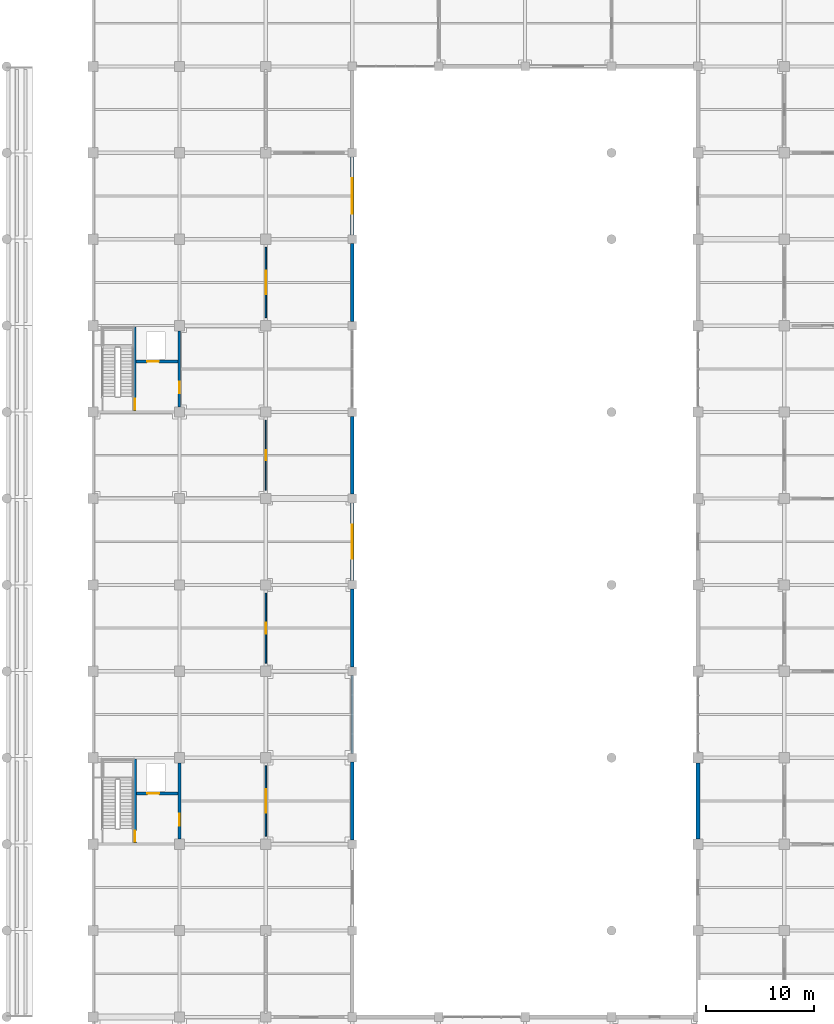
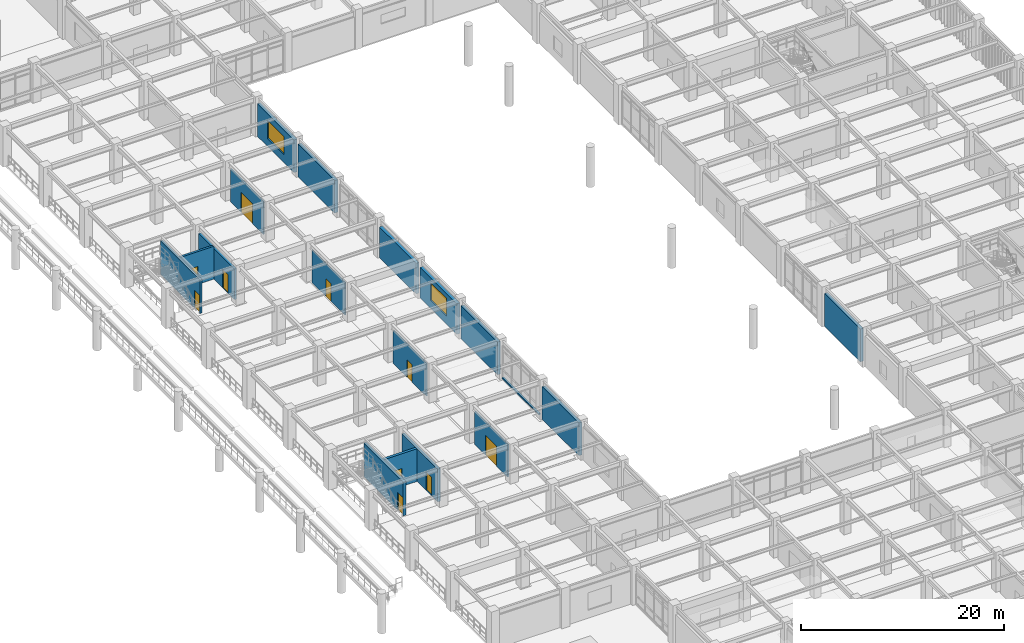
# One storey, part 76 of 109: 18 walls, 10 doors, 2 windows, 12 openings.
"""IFC4 building model written with IfcOpenShell, lengths in metres."""

from ifc_helpers import new_model, si_unit, direction, frame, frame_2d, origin, place, context, subcontext, project, spatial, rectangle, extrude, material, layer, layer_set, type_object, element, fill, save


model = new_model("IFC4")

# Units and contexts
model_context = context("Model", 3, precision=1e-05, world=origin(), true_north=direction((0.0, 1.0)))
body_context = subcontext(model_context, "Body", "Model", "MODEL_VIEW")
ifc_project = project(units=[si_unit("LENGTHUNIT", "METRE"), si_unit("AREAUNIT", "SQUARE_METRE"), si_unit("VOLUMEUNIT", "CUBIC_METRE"), si_unit("PLANEANGLEUNIT", "RADIAN"), si_unit("MASSUNIT", "GRAM", prefix="KILO")], contexts=[model_context])

# Site, building, storey
site_placement = place(None, origin())
site = spatial("IfcSite", under=ifc_project, at=site_placement, CompositionType="ELEMENT")
building_placement = place(site_placement, origin())
building = spatial("IfcBuilding", under=site, at=building_placement, Name="Haebicheon Civic Stadium", CompositionType="ELEMENT")
storey_placement = place(building_placement, frame((0.0, 0.0, 9.60009765625)))
storey = spatial("IfcBuildingStorey", under=building, at=storey_placement, Name="L03", CompositionType="ELEMENT", Elevation=9.60009765625)

# Wall, opening, door
ifc_material_1 = material(Name="Concrete C40/50", Category="concrete")
ifc_layer_1 = layer(ifc_material_1, 0.239990234375, Name="Concrete C40/50")
ifc_layer_set_1 = layer_set([ifc_layer_1], Name="Concrete C40/50")
wall_type_1 = type_object("IfcWallType", Name="CW-SHR-240", PredefinedType="SHEAR", material=ifc_layer_set_1)
wall_1_placement = place(storey_placement, frame((152.0, 104.47509765625, 0.0), z_axis=(0.0, 0.0, 1.0), x_axis=(0.0, 1.0, 0.0)))
wall_1 = element("IfcWall", 1, at=wall_1_placement, inside=storey, type_object=wall_type_1, material=ifc_layer_set_1, Name="KC-11 L03 east core shear wall", PredefinedType="SHEAR", context=body_context, shape_type="SweptSolid", body=[
    extrude(rectangle(XDim=7.0498046875, YDim=0.239990234375, at=frame_2d((3.52490234375, 0.0))), origin(), (0.0, 0.0, 1.0), 3.679931640625),
])
opening_1_placement = place(wall_1_placement, frame((1.25, 0.0, 0.0)))
opening_1 = element("IfcOpeningElement", 2, at=opening_1_placement, cuts=wall_1, Name="Opening D-L03-KC-11-LOB", PredefinedType="OPENING", context=body_context, shape_type="SweptSolid", body=[
    extrude(rectangle(XDim=1.10009765625, YDim=2.199951171875, at=frame_2d((0.550048828125, 1.10009765625))), frame((0.0, 0.1298828125, 0.0), z_axis=(0.0, -1.0, 0.0), x_axis=(1.0, 0.0, 0.0)), (0.0, 0.0, 1.0), 0.260009765625),
])
ifc_material_2 = material(Name="Galvanised painted steel SM355", Category="steel")
door_type_1 = type_object("IfcDoorType", Name="ID-FD-1100", OperationType="NOTDEFINED", PredefinedType="DOOR", material=ifc_material_2)
door_1_placement = place(opening_1_placement, origin())
door_1 = element("IfcDoor", 3, at=door_1_placement, inside=storey, type_object=door_type_1, material=ifc_material_2, Name="L03 KC-11 lobby fire door", OperationType="SINGLE_SWING_RIGHT", OverallHeight=2.199951171875, OverallWidth=1.10009765625, PredefinedType="DOOR", context=body_context, shape_type="SweptSolid", body=[
    extrude(rectangle(XDim=1.10009765625, YDim=2.199951171875, at=frame_2d((0.550048828125, 1.10009765625))), frame((0.0, 0.02490234375, 0.0), z_axis=(0.0, -1.0, 0.0), x_axis=(1.0, 0.0, 0.0)), (0.0, 0.0, 1.0), 0.050048828125),
])
fill(opening_1, door_1)

wall_2_placement = place(storey_placement, frame((147.8798828125, 104.1201171875, 0.0), z_axis=(0.0, 0.0, 1.0), x_axis=(0.0, 1.0, 0.0)))
wall_2 = element("IfcWall", 4, at=wall_2_placement, inside=storey, type_object=wall_type_1, material=ifc_layer_set_1, Name="KC-11 L03 stair-lobby dividing shear wall", PredefinedType="SHEAR", context=body_context, shape_type="SweptSolid", body=[
    extrude(rectangle(XDim=7.759765625, YDim=0.239990234375, at=frame_2d((3.8798828125, 0.0))), origin(), (0.0, 0.0, 1.0), 4.02978515625),
])
opening_2_placement = place(wall_2_placement, frame((0.080078125, 0.0, 0.0)))
opening_2 = element("IfcOpeningElement", 5, at=opening_2_placement, cuts=wall_2, Name="Opening D-L03-KC-11-STR", PredefinedType="OPENING", context=body_context, shape_type="SweptSolid", body=[
    extrude(rectangle(XDim=1.050048828125, YDim=2.14990234375, at=frame_2d((0.52490234375, 1.074951171875))), frame((0.0, 0.1298828125, 0.0), z_axis=(0.0, -1.0, 0.0), x_axis=(1.0, 0.0, 0.0)), (0.0, 0.0, 1.0), 0.260009765625),
])
ifc_material_3 = material(Name="Galvanised painted steel SM355", Category="steel")
door_type_2 = type_object("IfcDoorType", Name="ID-FD-1050", OperationType="NOTDEFINED", PredefinedType="DOOR", material=ifc_material_3)
door_2_placement = place(opening_2_placement, origin())
door_2 = element("IfcDoor", 6, at=door_2_placement, inside=storey, type_object=door_type_2, material=ifc_material_3, Name="L03 ST-11 stairwell escape door", OperationType="SINGLE_SWING_LEFT", OverallHeight=2.14990234375, OverallWidth=1.050048828125, PredefinedType="DOOR", context=body_context, shape_type="SweptSolid", body=[
    extrude(rectangle(XDim=1.050048828125, YDim=2.14990234375, at=frame_2d((0.52490234375, 1.074951171875))), frame((0.0, 0.02490234375, 0.0), z_axis=(0.0, -1.0, 0.0), x_axis=(1.0, 0.0, 0.0)), (0.0, 0.0, 1.0), 0.050048828125),
])
fill(opening_2, door_2)

wall_3_placement = place(storey_placement, frame((148.0, 108.679931640625, 0.0), z_axis=(0.0, 0.0, 1.0), x_axis=(1.0, 0.0, 0.0)))
wall_3 = element("IfcWall", 7, at=wall_3_placement, inside=storey, type_object=wall_type_1, material=ifc_layer_set_1, Name="KC-11 L03 lift shaft front wall", PredefinedType="SHEAR", context=body_context, shape_type="SweptSolid", body=[
    extrude(rectangle(XDim=3.8798828125, YDim=0.239990234375, at=frame_2d((1.93994140625, 0.0))), origin(), (0.0, 0.0, 1.0), 3.929931640625),
])
opening_3_placement = place(wall_3_placement, frame((1.0, 0.0, 0.0)))
opening_3 = element("IfcOpeningElement", 8, at=opening_3_placement, cuts=wall_3, Name="Opening LD-08-L03", PredefinedType="OPENING", context=body_context, shape_type="SweptSolid", body=[
    extrude(rectangle(XDim=1.10009765625, YDim=2.14990234375, at=frame_2d((0.550048828125, 1.074951171875))), frame((0.0, 0.1298828125, 0.0), z_axis=(0.0, -1.0, 0.0), x_axis=(1.0, 0.0, 0.0)), (0.0, 0.0, 1.0), 0.260009765625),
])
ifc_material_4 = material(Name="Stainless steel 316", Category="steel")
door_type_3 = type_object("IfcDoorType", Name="ID-LD-1100", OperationType="NOTDEFINED", PredefinedType="DOOR", material=ifc_material_4)
door_3_placement = place(opening_3_placement, origin())
door_3 = element("IfcDoor", 9, at=door_3_placement, inside=storey, type_object=door_type_3, material=ifc_material_4, Name="LF-08 lift landing sliding door L03", OperationType="SLIDING_TO_LEFT", OverallHeight=2.14990234375, OverallWidth=1.10009765625, PredefinedType="DOOR", context=body_context, shape_type="SweptSolid", body=[
    extrude(rectangle(XDim=1.10009765625, YDim=2.14990234375, at=frame_2d((0.550048828125, 1.074951171875))), frame((0.0, 0.02490234375, 0.0), z_axis=(0.0, -1.0, 0.0), x_axis=(1.0, 0.0, 0.0)), (0.0, 0.0, 1.0), 0.050048828125),
])
fill(opening_3, door_3)

ifc_material_5 = material(Name="Concrete C40/50", Category="concrete")
ifc_layer_2 = layer(ifc_material_5, 0.300048828125, Name="Concrete C40/50")
ifc_layer_set_2 = layer_set([ifc_layer_2], Name="Concrete C40/50")
wall_type_2 = type_object("IfcWallType", Name="CW-SHR-300", PredefinedType="SHEAR", material=ifc_layer_set_2)
wall_4_placement = place(storey_placement, frame((152.0, 64.47509765625, 0.0), z_axis=(0.0, 0.0, 1.0), x_axis=(0.0, 1.0, 0.0)))
wall_4 = element("IfcWall", 10, at=wall_4_placement, inside=storey, type_object=wall_type_2, material=ifc_layer_set_2, Name="KC-10 L03 east core shear wall", PredefinedType="SHEAR", context=body_context, shape_type="SweptSolid", body=[
    extrude(rectangle(XDim=7.0498046875, YDim=0.300048828125, at=frame_2d((3.52490234375, 0.0))), origin(), (0.0, 0.0, 1.0), 3.929931640625),
])
opening_4_placement = place(wall_4_placement, frame((1.25, 0.0, 0.0)))
opening_4 = element("IfcOpeningElement", 11, at=opening_4_placement, cuts=wall_4, Name="Opening D-L03-KC-10-LOB", PredefinedType="OPENING", context=body_context, shape_type="SweptSolid", body=[
    extrude(rectangle(XDim=1.10009765625, YDim=2.199951171875, at=frame_2d((0.550048828125, 1.10009765625))), frame((0.0, 0.159912109375, 0.0), z_axis=(0.0, -1.0, 0.0), x_axis=(1.0, 0.0, 0.0)), (0.0, 0.0, 1.0), 0.320068359375),
])
door_4_placement = place(opening_4_placement, origin())
door_4 = element("IfcDoor", 12, at=door_4_placement, inside=storey, type_object=door_type_1, material=ifc_material_2, Name="L03 KC-10 lobby fire door", OperationType="SINGLE_SWING_LEFT", OverallHeight=2.199951171875, OverallWidth=1.10009765625, PredefinedType="DOOR", context=body_context, shape_type="SweptSolid", body=[
    extrude(rectangle(XDim=1.10009765625, YDim=2.199951171875, at=frame_2d((0.550048828125, 1.10009765625))), frame((0.0, 0.02490234375, 0.0), z_axis=(0.0, -1.0, 0.0), x_axis=(1.0, 0.0, 0.0)), (0.0, 0.0, 1.0), 0.050048828125),
])
fill(opening_4, door_4)

wall_5_placement = place(storey_placement, frame((147.8798828125, 64.1201171875, 0.0), z_axis=(0.0, 0.0, 1.0), x_axis=(0.0, 1.0, 0.0)))
wall_5 = element("IfcWall", 13, at=wall_5_placement, inside=storey, type_object=wall_type_2, material=ifc_layer_set_2, Name="KC-10 L03 stair-lobby dividing shear wall", PredefinedType="SHEAR", context=body_context, shape_type="SweptSolid", body=[
    extrude(rectangle(XDim=7.759765625, YDim=0.300048828125, at=frame_2d((3.8798828125, 0.0))), origin(), (0.0, 0.0, 1.0), 4.02978515625),
])
opening_5_placement = place(wall_5_placement, frame((0.080078125, 0.0, 0.0)))
opening_5 = element("IfcOpeningElement", 14, at=opening_5_placement, cuts=wall_5, Name="Opening D-L03-KC-10-STR", PredefinedType="OPENING", context=body_context, shape_type="SweptSolid", body=[
    extrude(rectangle(XDim=1.050048828125, YDim=2.14990234375, at=frame_2d((0.52490234375, 1.074951171875))), frame((0.0, 0.159912109375, 0.0), z_axis=(0.0, -1.0, 0.0), x_axis=(1.0, 0.0, 0.0)), (0.0, 0.0, 1.0), 0.320068359375),
])
door_5_placement = place(opening_5_placement, origin())
door_5 = element("IfcDoor", 15, at=door_5_placement, inside=storey, type_object=door_type_2, material=ifc_material_3, Name="L03 ST-10 stairwell escape door", OperationType="SINGLE_SWING_RIGHT", OverallHeight=2.14990234375, OverallWidth=1.050048828125, PredefinedType="DOOR", context=body_context, shape_type="SweptSolid", body=[
    extrude(rectangle(XDim=1.050048828125, YDim=2.14990234375, at=frame_2d((0.52490234375, 1.074951171875))), frame((0.0, 0.02490234375, 0.0), z_axis=(0.0, -1.0, 0.0), x_axis=(1.0, 0.0, 0.0)), (0.0, 0.0, 1.0), 0.050048828125),
])
fill(opening_5, door_5)

wall_6_placement = place(storey_placement, frame((148.030029296875, 68.679931640625, 0.0), z_axis=(0.0, 0.0, 1.0), x_axis=(1.0, 0.0, 0.0)))
wall_6 = element("IfcWall", 16, at=wall_6_placement, inside=storey, type_object=wall_type_2, material=ifc_layer_set_2, Name="KC-10 L03 lift shaft front wall", PredefinedType="SHEAR", context=body_context, shape_type="SweptSolid", body=[
    extrude(rectangle(XDim=3.820068359375, YDim=0.300048828125, at=frame_2d((1.91015625, 0.0))), origin(), (0.0, 0.0, 1.0), 3.929931640625),
])
opening_6_placement = place(wall_6_placement, frame((1.0, 0.0, 0.0)))
opening_6 = element("IfcOpeningElement", 17, at=opening_6_placement, cuts=wall_6, Name="Opening LD-07-L03", PredefinedType="OPENING", context=body_context, shape_type="SweptSolid", body=[
    extrude(rectangle(XDim=1.10009765625, YDim=2.14990234375, at=frame_2d((0.550048828125, 1.074951171875))), frame((0.0, 0.159912109375, 0.0), z_axis=(0.0, -1.0, 0.0), x_axis=(1.0, 0.0, 0.0)), (0.0, 0.0, 1.0), 0.320068359375),
])
door_6_placement = place(opening_6_placement, origin())
door_6 = element("IfcDoor", 18, at=door_6_placement, inside=storey, type_object=door_type_3, material=ifc_material_4, Name="LF-07 lift landing sliding door L03", OperationType="SLIDING_TO_LEFT", OverallHeight=2.14990234375, OverallWidth=1.10009765625, PredefinedType="DOOR", context=body_context, shape_type="SweptSolid", body=[
    extrude(rectangle(XDim=1.10009765625, YDim=2.14990234375, at=frame_2d((0.550048828125, 1.074951171875))), frame((0.0, 0.02490234375, 0.0), z_axis=(0.0, -1.0, 0.0), x_axis=(1.0, 0.0, 0.0)), (0.0, 0.0, 1.0), 0.050048828125),
])
fill(opening_6, door_6)

# Walls
ifc_material_6 = material(Name="Concrete C40/50", Category="concrete")
ifc_layer_3 = layer(ifc_material_6, 0.35009765625, Name="Concrete C40/50")
ifc_layer_set_3 = layer_set([ifc_layer_3], Name="Concrete C40/50")
wall_type_3 = type_object("IfcWallType", Name="EW-BM-350", PredefinedType="SOLIDWALL", material=ifc_layer_set_3)
for number, where, z_axis, x_axis, name in (
    (19, (168.0, 64.39990234375, 0.0), (0.0, 0.0, 1.0), (0.0, 1.0, 0.0), "L03 board-marked concrete facade wall 21-08-E"),
    (20, (168.0, 80.39990234375, 0.0), (0.0, 0.0, 1.0), (0.0, 1.0, 0.0), "L03 board-marked concrete facade wall 21-10-E"),
):
    element("IfcWall", number, at=place(storey_placement, frame(where, z_axis=z_axis, x_axis=x_axis)), inside=storey, type_object=wall_type_3, material=ifc_layer_set_3, Name=name, PredefinedType="SOLIDWALL", context=body_context, shape_type="SweptSolid", body=[
        extrude(rectangle(XDim=7.2001953125, YDim=0.35009765625, at=frame_2d((3.60009765625, 0.0))), origin(), (0.0, 0.0, 1.0), 3.929931640625),
    ])

# Wall, opening, window
wall_7_placement = place(storey_placement, frame((168.0, 88.39990234375, 0.0), z_axis=(0.0, 0.0, 1.0), x_axis=(0.0, 1.0, 0.0)))
wall_7 = element("IfcWall", 21, at=wall_7_placement, inside=storey, type_object=wall_type_3, material=ifc_layer_set_3, Name="L03 board-marked concrete facade wall 21-11-E", PredefinedType="SOLIDWALL", context=body_context, shape_type="SweptSolid", body=[
    extrude(rectangle(XDim=7.2001953125, YDim=0.35009765625, at=frame_2d((3.60009765625, 0.0))), origin(), (0.0, 0.0, 1.0), 3.679931640625),
])
opening_7_placement = place(wall_7_placement, frame((2.02490234375, 0.0, 0.949951171875)))
opening_7 = element("IfcOpeningElement", 22, at=opening_7_placement, cuts=wall_7, Name="Opening WIN-315x215", PredefinedType="OPENING", context=body_context, shape_type="SweptSolid", body=[
    extrude(rectangle(XDim=3.14990234375, YDim=2.14990234375, at=frame_2d((1.574951171875, 1.074951171875))), frame((0.0, 0.18505859375, 0.0), z_axis=(0.0, -1.0, 0.0), x_axis=(1.0, 0.0, 0.0)), (0.0, 0.0, 1.0), 0.3701171875),
])
ifc_material_7 = material(Name="Anodised aluminium and laminated glass", Category="aluminium")
window_type_1 = type_object("IfcWindowType", Name="WIN-315x215", PartitioningType="SINGLE_PANEL", PredefinedType="WINDOW", material=ifc_material_7)
window_1_placement = place(opening_7_placement, origin())
window_1 = element("IfcWindow", 23, at=window_1_placement, inside=storey, type_object=window_type_1, material=ifc_material_7, Name="L03 facade window 082", OverallHeight=2.14990234375, OverallWidth=3.14990234375, PartitioningType="SINGLE_PANEL", PredefinedType="WINDOW", context=body_context, shape_type="SweptSolid", body=[
    extrude(rectangle(XDim=3.14990234375, YDim=2.14990234375, at=frame_2d((1.574951171875, 1.074951171875))), frame((0.0, 0.030029296875, 0.0), z_axis=(0.0, -1.0, 0.0), x_axis=(1.0, 0.0, 0.0)), (0.0, 0.0, 1.0), 0.06005859375),
])
fill(opening_7, window_1)

# Walls
wall_8_placement = place(storey_placement, frame((168.0, 96.39990234375, 0.0), z_axis=(0.0, 0.0, 1.0), x_axis=(0.0, 1.0, 0.0)))
element("IfcWall", 24, at=wall_8_placement, inside=storey, type_object=wall_type_3, material=ifc_layer_set_3, Name="L03 board-marked concrete facade wall 21-12-E", PredefinedType="SOLIDWALL", context=body_context, shape_type="SweptSolid", body=[
    extrude(rectangle(XDim=7.2001953125, YDim=0.35009765625, at=frame_2d((3.60009765625, 0.0))), origin(), (0.0, 0.0, 1.0), 3.679931640625),
])
wall_9_placement = place(storey_placement, frame((168.0, 112.39990234375, 0.0), z_axis=(0.0, 0.0, 1.0), x_axis=(0.0, 1.0, 0.0)))
element("IfcWall", 25, at=wall_9_placement, inside=storey, type_object=wall_type_3, material=ifc_layer_set_3, Name="L03 board-marked concrete facade wall 21-14-E", PredefinedType="SOLIDWALL", context=body_context, shape_type="SweptSolid", body=[
    extrude(rectangle(XDim=7.2001953125, YDim=0.35009765625, at=frame_2d((3.60009765625, 0.0))), origin(), (0.0, 0.0, 1.0), 3.929931640625),
])

# Wall, opening, window
wall_10_placement = place(storey_placement, frame((168.0, 120.39990234375, 0.0), z_axis=(0.0, 0.0, 1.0), x_axis=(0.0, 1.0, 0.0)))
wall_10 = element("IfcWall", 26, at=wall_10_placement, inside=storey, type_object=wall_type_3, material=ifc_layer_set_3, Name="L03 board-marked concrete facade wall 21-15-E", PredefinedType="SOLIDWALL", context=body_context, shape_type="SweptSolid", body=[
    extrude(rectangle(XDim=7.2001953125, YDim=0.35009765625, at=frame_2d((3.60009765625, 0.0))), origin(), (0.0, 0.0, 1.0), 3.929931640625),
])
opening_8_placement = place(wall_10_placement, frame((1.949951171875, 0.0, 0.949951171875)))
opening_8 = element("IfcOpeningElement", 27, at=opening_8_placement, cuts=wall_10, Name="Opening WIN-330x220", PredefinedType="OPENING", context=body_context, shape_type="SweptSolid", body=[
    extrude(rectangle(XDim=3.300048828125, YDim=2.199951171875, at=frame_2d((1.64990234375, 1.10009765625))), frame((0.0, 0.18505859375, 0.0), z_axis=(0.0, -1.0, 0.0), x_axis=(1.0, 0.0, 0.0)), (0.0, 0.0, 1.0), 0.3701171875),
])
ifc_material_8 = material(Name="Anodised aluminium and laminated glass", Category="aluminium")
window_type_2 = type_object("IfcWindowType", Name="WIN-330x220", PartitioningType="SINGLE_PANEL", PredefinedType="WINDOW", material=ifc_material_8)
window_2_placement = place(opening_8_placement, origin())
window_2 = element("IfcWindow", 28, at=window_2_placement, inside=storey, type_object=window_type_2, material=ifc_material_8, Name="L03 facade window 083", OverallHeight=2.199951171875, OverallWidth=3.300048828125, PartitioningType="SINGLE_PANEL", PredefinedType="WINDOW", context=body_context, shape_type="SweptSolid", body=[
    extrude(rectangle(XDim=3.300048828125, YDim=2.199951171875, at=frame_2d((1.64990234375, 1.10009765625))), frame((0.0, 0.030029296875, 0.0), z_axis=(0.0, -1.0, 0.0), x_axis=(1.0, 0.0, 0.0)), (0.0, 0.0, 1.0), 0.06005859375),
])
fill(opening_8, window_2)

# Walls
wall_11_placement = place(storey_placement, frame((200.0, 64.47509765625, 0.0), z_axis=(0.0, 0.0, 1.0), x_axis=(0.0, 1.0, 0.0)))
element("IfcWall", 29, at=wall_11_placement, inside=storey, type_object=wall_type_3, material=ifc_layer_set_3, Name="L03 board-marked concrete facade wall 25-08-W", PredefinedType="SOLIDWALL", context=body_context, shape_type="SweptSolid", body=[
    extrude(rectangle(XDim=7.0498046875, YDim=0.35009765625, at=frame_2d((3.52490234375, 0.0))), origin(), (0.0, 0.0, 1.0), 3.949951171875),
])
ifc_material_9 = material(Name="Precast concrete C40/50", Category="concrete")
ifc_layer_4 = layer(ifc_material_9, 0.219970703125, Name="Precast concrete C40/50")
ifc_layer_set_4 = layer_set([ifc_layer_4], Name="Precast concrete C40/50")
wall_type_4 = type_object("IfcWallType", Name="EW-PAR-220", PredefinedType="PARAPET", material=ifc_layer_set_4)
wall_12_placement = place(storey_placement, frame((168.0, 72.39990234375, 0.0), z_axis=(0.0, 0.0, 1.0), x_axis=(0.0, 1.0, 0.0)))
element("IfcWall", 30, at=wall_12_placement, inside=storey, type_object=wall_type_4, material=ifc_layer_set_4, Name="L03 curtain-wall concrete upstand kerb", PredefinedType="PARAPET", context=body_context, shape_type="SweptSolid", body=[
    extrude(rectangle(XDim=7.2001953125, YDim=0.219970703125, at=frame_2d((3.60009765625, 0.0))), origin(), (0.0, 0.0, 1.0), 0.159912109375),
])

# Wall, opening, door
ifc_material_10 = material(Name="Anodised aluminium and laminated glass", Category="aluminium")
ifc_layer_5 = layer(ifc_material_10, 0.10009765625, Name="Anodised aluminium and laminated glass")
ifc_layer_set_5 = layer_set([ifc_layer_5], Name="Anodised aluminium and laminated glass")
wall_type_5 = type_object("IfcWallType", Name="IW-PRT-100", PredefinedType="PARTITIONING", material=ifc_layer_set_5)
wall_13_placement = place(storey_placement, frame((160.0, 96.75, 0.0), z_axis=(0.0, 0.0, 1.0), x_axis=(0.0, 1.0, 0.0)))
wall_13 = element("IfcWall", 31, at=wall_13_placement, inside=storey, type_object=wall_type_5, material=ifc_layer_set_5, Name="L03 Supporters' Club Lounge partition wall", PredefinedType="PARTITIONING", context=body_context, shape_type="SweptSolid", body=[
    extrude(rectangle(XDim=6.5, YDim=0.10009765625, at=frame_2d((3.25, 0.0))), origin(), (0.0, 0.0, 1.0), 3.929931640625),
])
opening_9_placement = place(wall_13_placement, frame((2.77490234375, 0.0, 0.0)))
opening_9 = element("IfcOpeningElement", 32, at=opening_9_placement, cuts=wall_13, Name="Opening D-L03-321", PredefinedType="OPENING", context=body_context, shape_type="SweptSolid", body=[
    extrude(rectangle(XDim=0.949951171875, YDim=2.10009765625, at=frame_2d((0.47509765625, 1.050048828125))), frame((0.0, 0.06005859375, 0.0), z_axis=(0.0, -1.0, 0.0), x_axis=(1.0, 0.0, 0.0)), (0.0, 0.0, 1.0), 0.1201171875),
])
ifc_material_11 = material(Name="Engineered hardwood timber", Category="wood")
door_type_4 = type_object("IfcDoorType", Name="ID-RM-0950", OperationType="NOTDEFINED", PredefinedType="DOOR", material=ifc_material_11)
door_7_placement = place(opening_9_placement, origin())
door_7 = element("IfcDoor", 33, at=door_7_placement, inside=storey, type_object=door_type_4, material=ifc_material_11, Name="L03 Supporters' Club Lounge entrance door D-L03-321", OperationType="SINGLE_SWING_RIGHT", OverallHeight=2.10009765625, OverallWidth=0.949951171875, PredefinedType="DOOR", context=body_context, shape_type="SweptSolid", body=[
    extrude(rectangle(XDim=0.949951171875, YDim=2.10009765625, at=frame_2d((0.47509765625, 1.050048828125))), frame((0.0, 0.02490234375, 0.0), z_axis=(0.0, -1.0, 0.0), x_axis=(1.0, 0.0, 0.0)), (0.0, 0.0, 1.0), 0.050048828125),
])
fill(opening_9, door_7)

ifc_material_12 = material(Name="Gypsum plasterboard on steel studs", Category="gypsum")
ifc_layer_6 = layer(ifc_material_12, 0.1298828125, Name="Gypsum plasterboard on steel studs")
ifc_layer_set_6 = layer_set([ifc_layer_6], Name="Gypsum plasterboard on steel studs")
wall_type_6 = type_object("IfcWallType", Name="IW-PRT-130", PredefinedType="PARTITIONING", material=ifc_layer_set_6)
wall_14_placement = place(storey_placement, frame((160.0, 80.75, 0.0), z_axis=(0.0, 0.0, 1.0), x_axis=(0.0, 1.0, 0.0)))
wall_14 = element("IfcWall", 34, at=wall_14_placement, inside=storey, type_object=wall_type_6, material=ifc_layer_set_6, Name="L03 Community Seminar Room partition wall", PredefinedType="PARTITIONING", context=body_context, shape_type="SweptSolid", body=[
    extrude(rectangle(XDim=6.5, YDim=0.1298828125, at=frame_2d((3.25, 0.0))), origin(), (0.0, 0.0, 1.0), 3.929931640625),
])
opening_10_placement = place(wall_14_placement, frame((2.75, 0.0, 0.0)))
opening_10 = element("IfcOpeningElement", 35, at=opening_10_placement, cuts=wall_14, Name="Opening D-L03-320", PredefinedType="OPENING", context=body_context, shape_type="SweptSolid", body=[
    extrude(rectangle(XDim=1.0, YDim=2.10009765625, at=frame_2d((0.5, 1.050048828125))), frame((0.0, 0.074951171875, 0.0), z_axis=(0.0, -1.0, 0.0), x_axis=(1.0, 0.0, 0.0)), (0.0, 0.0, 1.0), 0.14990234375),
])
ifc_material_13 = material(Name="Engineered hardwood timber", Category="wood")
door_type_5 = type_object("IfcDoorType", Name="ID-RM-1000", OperationType="NOTDEFINED", PredefinedType="DOOR", material=ifc_material_13)
door_8_placement = place(opening_10_placement, origin())
door_8 = element("IfcDoor", 36, at=door_8_placement, inside=storey, type_object=door_type_5, material=ifc_material_13, Name="L03 Community Seminar Room entrance door D-L03-320", OperationType="SINGLE_SWING_LEFT", OverallHeight=2.10009765625, OverallWidth=1.0, PredefinedType="DOOR", context=body_context, shape_type="SweptSolid", body=[
    extrude(rectangle(XDim=1.0, YDim=2.10009765625, at=frame_2d((0.5, 1.050048828125))), frame((0.0, 0.02490234375, 0.0), z_axis=(0.0, -1.0, 0.0), x_axis=(1.0, 0.0, 0.0)), (0.0, 0.0, 1.0), 0.050048828125),
])
fill(opening_10, door_8)

ifc_material_14 = material(Name="Gypsum plasterboard on steel studs", Category="gypsum")
ifc_layer_7 = layer(ifc_material_14, 0.14990234375, Name="Gypsum plasterboard on steel studs")
ifc_layer_set_7 = layer_set([ifc_layer_7], Name="Gypsum plasterboard on steel studs")
wall_type_7 = type_object("IfcWallType", Name="IW-PRT-150", PredefinedType="PARTITIONING", material=ifc_layer_set_7)
wall_15_placement = place(storey_placement, frame((160.0, 64.75, 0.0), z_axis=(0.0, 0.0, 1.0), x_axis=(0.0, 1.0, 0.0)))
wall_15 = element("IfcWall", 37, at=wall_15_placement, inside=storey, type_object=wall_type_7, material=ifc_layer_set_7, Name="L03 Civic Banquet Hall partition wall", PredefinedType="PARTITIONING", context=body_context, shape_type="SweptSolid", body=[
    extrude(rectangle(XDim=6.5, YDim=0.14990234375, at=frame_2d((3.25, 0.0))), origin(), (0.0, 0.0, 1.0), 3.929931640625),
])
opening_11_placement = place(wall_15_placement, frame((2.14990234375, 0.0, 0.0)))
opening_11 = element("IfcOpeningElement", 38, at=opening_11_placement, cuts=wall_15, Name="Opening D-L03-319", PredefinedType="OPENING", context=body_context, shape_type="SweptSolid", body=[
    extrude(rectangle(XDim=2.199951171875, YDim=2.39990234375, at=frame_2d((1.10009765625, 1.199951171875))), frame((0.0, 0.0849609375, 0.0), z_axis=(0.0, -1.0, 0.0), x_axis=(1.0, 0.0, 0.0)), (0.0, 0.0, 1.0), 0.169921875),
])
ifc_material_15 = material(Name="Engineered hardwood timber", Category="wood")
door_type_6 = type_object("IfcDoorType", Name="ID-DBL-2200", OperationType="NOTDEFINED", PredefinedType="DOOR", material=ifc_material_15)
door_9_placement = place(opening_11_placement, origin())
door_9 = element("IfcDoor", 39, at=door_9_placement, inside=storey, type_object=door_type_6, material=ifc_material_15, Name="L03 Civic Banquet Hall entrance door D-L03-319", OperationType="DOUBLE_SWING_LEFT", OverallHeight=2.39990234375, OverallWidth=2.199951171875, PredefinedType="DOOR", context=body_context, shape_type="SweptSolid", body=[
    extrude(rectangle(XDim=2.199951171875, YDim=2.39990234375, at=frame_2d((1.10009765625, 1.199951171875))), frame((0.0, 0.02490234375, 0.0), z_axis=(0.0, -1.0, 0.0), x_axis=(1.0, 0.0, 0.0)), (0.0, 0.0, 1.0), 0.050048828125),
])
fill(opening_11, door_9)

wall_16_placement = place(storey_placement, frame((160.0, 112.75, 0.0), z_axis=(0.0, 0.0, 1.0), x_axis=(0.0, 1.0, 0.0)))
wall_16 = element("IfcWall", 40, at=wall_16_placement, inside=storey, type_object=wall_type_7, material=ifc_layer_set_7, Name="L03 Civic Banquet Hall partition wall", PredefinedType="PARTITIONING", context=body_context, shape_type="SweptSolid", body=[
    extrude(rectangle(XDim=6.5, YDim=0.14990234375, at=frame_2d((3.25, 0.0))), origin(), (0.0, 0.0, 1.0), 3.929931640625),
])
opening_12_placement = place(wall_16_placement, frame((2.14990234375, 0.0, 0.0)))
opening_12 = element("IfcOpeningElement", 41, at=opening_12_placement, cuts=wall_16, Name="Opening D-L03-322", PredefinedType="OPENING", context=body_context, shape_type="SweptSolid", body=[
    extrude(rectangle(XDim=2.199951171875, YDim=2.39990234375, at=frame_2d((1.10009765625, 1.199951171875))), frame((0.0, 0.0849609375, 0.0), z_axis=(0.0, -1.0, 0.0), x_axis=(1.0, 0.0, 0.0)), (0.0, 0.0, 1.0), 0.169921875),
])
door_10_placement = place(opening_12_placement, origin())
door_10 = element("IfcDoor", 42, at=door_10_placement, inside=storey, type_object=door_type_6, material=ifc_material_15, Name="L03 Civic Banquet Hall entrance door D-L03-322", OperationType="DOUBLE_SWING_LEFT", OverallHeight=2.39990234375, OverallWidth=2.199951171875, PredefinedType="DOOR", context=body_context, shape_type="SweptSolid", body=[
    extrude(rectangle(XDim=2.199951171875, YDim=2.39990234375, at=frame_2d((1.10009765625, 1.199951171875))), frame((0.0, 0.02490234375, 0.0), z_axis=(0.0, -1.0, 0.0), x_axis=(1.0, 0.0, 0.0)), (0.0, 0.0, 1.0), 0.050048828125),
])
fill(opening_12, door_10)

save(model, "model.ifc")
